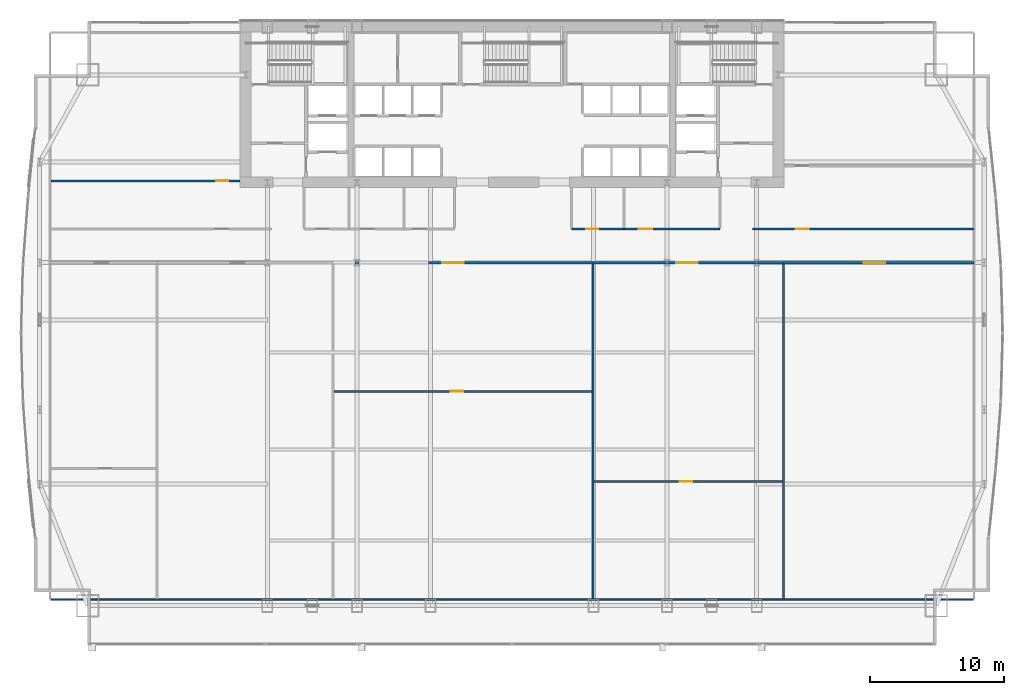
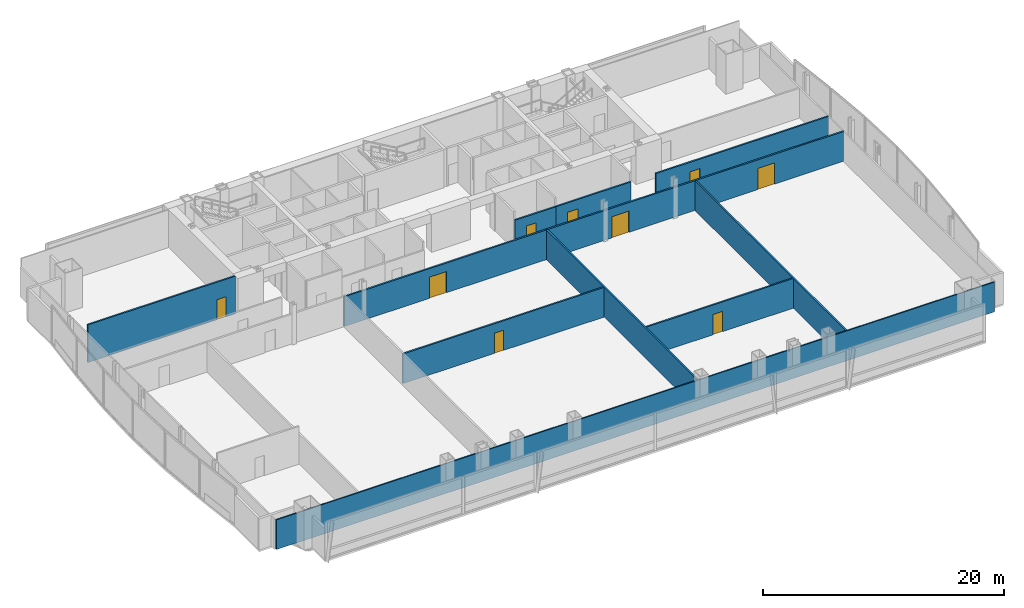
# One storey, part 29 of 33: 12 walls, 9 doors, 9 openings.
"""IFC4 building model written with IfcOpenShell, lengths in metres."""

from ifc_helpers import new_model, si_unit, direction, frame, frame_2d, origin, place, context, subcontext, project, spatial, rectangle, extrude, material, layer, layer_set, type_object, element, fill, save


model = new_model("IFC4")

# Units and contexts
model_context = context("Model", 3, precision=1e-05, world=origin(), true_north=direction((0.0, 1.0)))
body_context = subcontext(model_context, "Body", "Model", "MODEL_VIEW")
ifc_project = project(units=[si_unit("LENGTHUNIT", "METRE"), si_unit("AREAUNIT", "SQUARE_METRE"), si_unit("VOLUMEUNIT", "CUBIC_METRE"), si_unit("PLANEANGLEUNIT", "RADIAN"), si_unit("MASSUNIT", "GRAM", prefix="KILO")], contexts=[model_context])

# Site, building, storey
site_placement = place(None, origin())
site = spatial("IfcSite", under=ifc_project, at=site_placement, CompositionType="ELEMENT")
building_placement = place(site_placement, origin())
building = spatial("IfcBuilding", under=site, at=building_placement, Name="Khoronbel Lancet Exchange", CompositionType="ELEMENT")
storey_placement = place(building_placement, frame((0.0, 0.0, 33.800048828125)))
storey = spatial("IfcBuildingStorey", under=building, at=storey_placement, Name="L07", CompositionType="ELEMENT", Elevation=33.800048828125)

# Wall, opening, door
ifc_material_1 = material(Name="Acoustic Metal-Stud & Mineral-Wool Gypsum Partition 120 mm", Category="gypsum")
ifc_layer_1 = layer(ifc_material_1, 0.1201171875, Name="Acoustic Metal-Stud & Mineral-Wool Gypsum Partition 120 mm")
ifc_layer_set_1 = layer_set([ifc_layer_1], Name="Acoustic Metal-Stud & Mineral-Wool Gypsum Partition 120 mm")
wall_type_1 = type_object("IfcWallType", Name="WL-PRT120", PredefinedType="PARTITIONING", material=ifc_layer_set_1)
wall_1_placement = place(storey_placement, frame((2.094970703125, 41.800048828125, 0.0), z_axis=(0.0, 0.0, 1.0), x_axis=(1.0, 0.0, 0.0)))
wall_1 = element("IfcWall", 1, at=wall_1_placement, inside=storey, type_object=wall_type_1, Name="Level L07 interior partition PW-NW-H", PredefinedType="PARTITIONING", context=body_context, shape_type="SweptSolid", body=[
    extrude(rectangle(XDim=14.10498046875, YDim=0.14990234375, at=frame_2d((7.052490234375, 0.0))), origin(), (0.0, 0.0, 1.0), 3.820068359375),
])
opening_1_placement = place(wall_1_placement, frame((12.320068359375, 0.0, 0.0)))
opening_1 = element("IfcOpeningElement", 2, at=opening_1_placement, cuts=wall_1, Name="Opening D5", PredefinedType="OPENING", context=body_context, shape_type="SweptSolid", body=[
    extrude(rectangle(XDim=0.89990234375, YDim=2.050048828125, at=frame_2d((0.449951171875, 1.02490234375))), frame((0.0, 0.0849609375, 0.0), z_axis=(0.0, -1.0, 0.0), x_axis=(1.0, 0.0, 0.0)), (0.0, 0.0, 1.0), 0.169921875),
])
ifc_material_2 = material(Name="Acoustic Timber Pantry & Support Door", Category="wood")
door_type_1 = type_object("IfcDoorType", Name="DR-D5", OperationType="NOTDEFINED", PredefinedType="DOOR", material=ifc_material_2)
door_1_placement = place(opening_1_placement, origin())
door_1 = element("IfcDoor", 3, at=door_1_placement, inside=storey, type_object=door_type_1, Name="NW north room door L07-1", OperationType="SINGLE_SWING_RIGHT", OverallHeight=2.050048828125, OverallWidth=0.89990234375, PredefinedType="DOOR", context=body_context, shape_type="SweptSolid", body=[
    extrude(rectangle(XDim=0.89990234375, YDim=2.050048828125, at=frame_2d((0.449951171875, 1.02490234375))), frame((0.0, 0.02490234375, 0.0), z_axis=(0.0, -1.0, 0.0), x_axis=(1.0, 0.0, 0.0)), (0.0, 0.0, 1.0), 0.050048828125),
])
fill(opening_1, door_1)

wall_2_placement = place(storey_placement, frame((23.182861328125, 26.119140625, 0.0), z_axis=(0.0, 0.0, 1.0), x_axis=(1.0, 0.0, 0.0)))
wall_2 = element("IfcWall", 4, at=wall_2_placement, inside=storey, type_object=wall_type_1, Name="Level L07 interior partition PW-Z1S-H3", PredefinedType="PARTITIONING", context=body_context, shape_type="SweptSolid", body=[
    extrude(rectangle(XDim=19.223876953125, YDim=0.14990234375, at=frame_2d((9.61181640625, 0.0))), origin(), (0.0, 0.0, 1.0), 3.010009765625),
])
opening_2_placement = place(wall_2_placement, frame((8.72265625, 0.0, 0.0)))
opening_2 = element("IfcOpeningElement", 5, at=opening_2_placement, cuts=wall_2, Name="Opening D5", PredefinedType="OPENING", context=body_context, shape_type="SweptSolid", body=[
    extrude(rectangle(XDim=0.89990234375, YDim=2.050048828125, at=frame_2d((0.449951171875, 1.02490234375))), frame((0.0, 0.0849609375, 0.0), z_axis=(0.0, -1.0, 0.0), x_axis=(1.0, 0.0, 0.0)), (0.0, 0.0, 1.0), 0.169921875),
])
door_2_placement = place(opening_2_placement, origin())
door_2 = element("IfcDoor", 6, at=door_2_placement, inside=storey, type_object=door_type_1, Name="Z1S inner door 3 L07-1", OperationType="SINGLE_SWING_LEFT", OverallHeight=2.050048828125, OverallWidth=0.89990234375, PredefinedType="DOOR", context=body_context, shape_type="SweptSolid", body=[
    extrude(rectangle(XDim=0.89990234375, YDim=2.050048828125, at=frame_2d((0.449951171875, 1.02490234375))), frame((0.0, 0.02490234375, 0.0), z_axis=(0.0, -1.0, 0.0), x_axis=(1.0, 0.0, 0.0)), (0.0, 0.0, 1.0), 0.050048828125),
])
fill(opening_2, door_2)

wall_3_placement = place(storey_placement, frame((42.566650390625, 19.39453125, 0.0), z_axis=(0.0, 0.0, 1.0), x_axis=(1.0, 0.0, 0.0)))
wall_3 = element("IfcWall", 7, at=wall_3_placement, inside=storey, type_object=wall_type_1, Name="Level L07 interior partition PW-Z1S-H4", PredefinedType="PARTITIONING", context=body_context, shape_type="SweptSolid", body=[
    extrude(rectangle(XDim=14.045654296875, YDim=0.14990234375, at=frame_2d((7.02294921875, 0.0))), origin(), (0.0, 0.0, 1.0), 3.010009765625),
])
opening_3_placement = place(wall_3_placement, frame((6.392578125, 0.0, 0.0)))
opening_3 = element("IfcOpeningElement", 8, at=opening_3_placement, cuts=wall_3, Name="Opening D5", PredefinedType="OPENING", context=body_context, shape_type="SweptSolid", body=[
    extrude(rectangle(XDim=0.89990234375, YDim=2.050048828125, at=frame_2d((0.449951171875, 1.02490234375))), frame((0.0, 0.0849609375, 0.0), z_axis=(0.0, -1.0, 0.0), x_axis=(1.0, 0.0, 0.0)), (0.0, 0.0, 1.0), 0.169921875),
])
door_3_placement = place(opening_3_placement, origin())
door_3 = element("IfcDoor", 9, at=door_3_placement, inside=storey, type_object=door_type_1, Name="Z1S inner door 4 L07-1", OperationType="SINGLE_SWING_RIGHT", OverallHeight=2.050048828125, OverallWidth=0.89990234375, PredefinedType="DOOR", context=body_context, shape_type="SweptSolid", body=[
    extrude(rectangle(XDim=0.89990234375, YDim=2.050048828125, at=frame_2d((0.449951171875, 1.02490234375))), frame((0.0, 0.02490234375, 0.0), z_axis=(0.0, -1.0, 0.0), x_axis=(1.0, 0.0, 0.0)), (0.0, 0.0, 1.0), 0.050048828125),
])
fill(opening_3, door_3)

# Wall
wall_4_placement = place(storey_placement, frame((2.094970703125, 10.60009765625, 0.0), z_axis=(0.0, 0.0, 1.0), x_axis=(1.0, 0.0, 0.0)))
element("IfcWall", 10, at=wall_4_placement, inside=storey, type_object=wall_type_1, Name="Level L07 interior partition PW-LIN-S", PredefinedType="PARTITIONING", context=body_context, shape_type="SweptSolid", body=[
    extrude(rectangle(XDim=68.7099609375, YDim=0.1201171875, at=frame_2d((34.35498046875, 0.0))), origin(), (0.0, 0.0, 1.0), 3.010009765625),
])

# Wall, opening, door
ifc_material_3 = material(Name="Fire-Rated Twin-Stud Acoustic Gypsum Partition 150 mm", Category="gypsum")
ifc_layer_2 = layer(ifc_material_3, 0.14990234375, Name="Fire-Rated Twin-Stud Acoustic Gypsum Partition 150 mm")
ifc_layer_set_2 = layer_set([ifc_layer_2], Name="Fire-Rated Twin-Stud Acoustic Gypsum Partition 150 mm")
wall_type_2 = type_object("IfcWallType", Name="WL-PRT150C", PredefinedType="PARTITIONING", material=ifc_layer_set_2)
wall_5_placement = place(storey_placement, frame((40.8798828125, 38.199951171875, 0.0), z_axis=(0.0, 0.0, 1.0), x_axis=(1.0, 0.0, 0.0)))
wall_5 = element("IfcWall", 11, at=wall_5_placement, inside=storey, type_object=wall_type_2, Name="Level L07 interior partition PW-NP-S1", PredefinedType="PARTITIONING", context=body_context, shape_type="SweptSolid", body=[
    extrude(rectangle(XDim=3.920166015625, YDim=0.14990234375, at=frame_2d((1.9599609375, 0.0))), origin(), (0.0, 0.0, 1.0), 3.010009765625),
])
opening_4_placement = place(wall_5_placement, frame((1.10009765625, 0.0, 0.0)))
opening_4 = element("IfcOpeningElement", 12, at=opening_4_placement, cuts=wall_5, Name="Opening D5", PredefinedType="OPENING", context=body_context, shape_type="SweptSolid", body=[
    extrude(rectangle(XDim=0.89990234375, YDim=2.050048828125, at=frame_2d((0.449951171875, 1.02490234375))), frame((0.0, 0.0849609375, 0.0), z_axis=(0.0, -1.0, 0.0), x_axis=(1.0, 0.0, 0.0)), (0.0, 0.0, 1.0), 0.169921875),
])
door_4_placement = place(opening_4_placement, origin())
door_4 = element("IfcDoor", 13, at=door_4_placement, inside=storey, type_object=door_type_1, Name="Floor refreshment pantry door L07-1", OperationType="SINGLE_SWING_RIGHT", OverallHeight=2.050048828125, OverallWidth=0.89990234375, PredefinedType="DOOR", context=body_context, shape_type="SweptSolid", body=[
    extrude(rectangle(XDim=0.89990234375, YDim=2.050048828125, at=frame_2d((0.449951171875, 1.02490234375))), frame((0.0, 0.02490234375, 0.0), z_axis=(0.0, -1.0, 0.0), x_axis=(1.0, 0.0, 0.0)), (0.0, 0.0, 1.0), 0.050048828125),
])
fill(opening_4, door_4)

wall_6_placement = place(storey_placement, frame((44.800048828125, 38.199951171875, 0.0), z_axis=(0.0, 0.0, 1.0), x_axis=(1.0, 0.0, 0.0)))
wall_6 = element("IfcWall", 14, at=wall_6_placement, inside=storey, type_object=wall_type_2, Name="Level L07 interior partition PW-NP-S2", PredefinedType="PARTITIONING", context=body_context, shape_type="SweptSolid", body=[
    extrude(rectangle(XDim=7.14990234375, YDim=0.14990234375, at=frame_2d((3.574951171875, 0.0))), origin(), (0.0, 0.0, 1.0), 3.010009765625),
])
opening_5_placement = place(wall_6_placement, frame((1.10009765625, 0.0, 0.0)))
opening_5 = element("IfcOpeningElement", 15, at=opening_5_placement, cuts=wall_6, Name="Opening D2", PredefinedType="OPENING", context=body_context, shape_type="SweptSolid", body=[
    extrude(rectangle(XDim=1.0, YDim=2.050048828125, at=frame_2d((0.5, 1.02490234375))), frame((0.0, 0.0849609375, 0.0), z_axis=(0.0, -1.0, 0.0), x_axis=(1.0, 0.0, 0.0)), (0.0, 0.0, 1.0), 0.169921875),
])
ifc_material_4 = material(Name="Acoustic Veneered Timber & Bronze Frame Door", Category="wood")
door_type_2 = type_object("IfcDoorType", Name="DR-D2", OperationType="NOTDEFINED", PredefinedType="DOOR", material=ifc_material_4)
door_5_placement = place(opening_5_placement, origin())
door_5 = element("IfcDoor", 16, at=door_5_placement, inside=storey, type_object=door_type_2, Name="Floor store door L07-1", OperationType="SINGLE_SWING_LEFT", OverallHeight=2.050048828125, OverallWidth=1.0, PredefinedType="DOOR", context=body_context, shape_type="SweptSolid", body=[
    extrude(rectangle(XDim=1.0, YDim=2.050048828125, at=frame_2d((0.5, 1.02490234375))), frame((0.0, 0.02490234375, 0.0), z_axis=(0.0, -1.0, 0.0), x_axis=(1.0, 0.0, 0.0)), (0.0, 0.0, 1.0), 0.050048828125),
])
fill(opening_5, door_5)

wall_7_placement = place(storey_placement, frame((54.35009765625, 38.199951171875, 0.0), z_axis=(0.0, 0.0, 1.0), x_axis=(1.0, 0.0, 0.0)))
wall_7 = element("IfcWall", 17, at=wall_7_placement, inside=storey, type_object=wall_type_2, Name="Level L07 interior partition PW-NE-S", PredefinedType="PARTITIONING", context=body_context, shape_type="SweptSolid", body=[
    extrude(rectangle(XDim=16.52001953125, YDim=0.14990234375, at=frame_2d((8.260009765625, 0.0))), origin(), (0.0, 0.0, 1.0), 3.010009765625),
])
opening_6_placement = place(wall_7_placement, frame((3.25, 0.0, 0.0)))
opening_6 = element("IfcOpeningElement", 18, at=opening_6_placement, cuts=wall_7, Name="Opening D1", PredefinedType="OPENING", context=body_context, shape_type="SweptSolid", body=[
    extrude(rectangle(XDim=0.949951171875, YDim=2.050048828125, at=frame_2d((0.47509765625, 1.02490234375))), frame((0.0, 0.0849609375, 0.0), z_axis=(0.0, -1.0, 0.0), x_axis=(1.0, 0.0, 0.0)), (0.0, 0.0, 1.0), 0.169921875),
])
door_type_3 = type_object("IfcDoorType", Name="DR-D1", OperationType="NOTDEFINED", PredefinedType="DOOR", material=ifc_material_4)
door_6_placement = place(opening_6_placement, origin())
door_6 = element("IfcDoor", 19, at=door_6_placement, inside=storey, type_object=door_type_3, Name="NE corner room door L07-1", OperationType="SINGLE_SWING_LEFT", OverallHeight=2.050048828125, OverallWidth=0.949951171875, PredefinedType="DOOR", context=body_context, shape_type="SweptSolid", body=[
    extrude(rectangle(XDim=0.949951171875, YDim=2.050048828125, at=frame_2d((0.47509765625, 1.02490234375))), frame((0.0, 0.02490234375, 0.0), z_axis=(0.0, -1.0, 0.0), x_axis=(1.0, 0.0, 0.0)), (0.0, 0.0, 1.0), 0.050048828125),
])
fill(opening_6, door_6)

# Walls
for number, where, z_axis, x_axis, name in (
    (20, (42.48681640625, 10.6650390625, 0.0), (0.0, 0.0, 1.0), (0.0, 1.0, 0.0), "Level L07 interior partition PW-Z1S-V3"),
    (21, (56.692138671875, 10.6650390625, 0.0), (0.0, 0.0, 1.0), (0.0, 1.0, 0.0), "Level L07 interior partition PW-Z1S-V4"),
):
    element("IfcWall", number, at=place(storey_placement, frame(where, z_axis=z_axis, x_axis=x_axis)), inside=storey, type_object=wall_type_2, Name=name, PredefinedType="PARTITIONING", context=body_context, shape_type="SweptSolid", body=[
        extrude(rectangle(XDim=24.949951171875, YDim=0.14990234375, at=frame_2d((12.47509765625, 0.0))), origin(), (0.0, 0.0, 1.0), 3.010009765625),
    ])

# Wall, opening, door
ifc_material_5 = material(Name="Fire-Rated Twin-Stud Acoustic Gypsum Partition 160 mm", Category="gypsum")
ifc_layer_3 = layer(ifc_material_5, 0.159912109375, Name="Fire-Rated Twin-Stud Acoustic Gypsum Partition 160 mm")
ifc_layer_set_3 = layer_set([ifc_layer_3], Name="Fire-Rated Twin-Stud Acoustic Gypsum Partition 160 mm")
wall_type_3 = type_object("IfcWallType", Name="WL-PRT160C", PredefinedType="PARTITIONING", material=ifc_layer_set_3)
wall_8_placement = place(storey_placement, frame((23.102783203125, 35.699951171875, 0.0), z_axis=(0.0, 0.0, 1.0), x_axis=(1.0, 0.0, 0.0)))
wall_8 = element("IfcWall", 22, at=wall_8_placement, inside=storey, type_object=wall_type_3, Name="Level L07 interior partition PW-Z1S-COR3", PredefinedType="PARTITIONING", context=body_context, shape_type="SweptSolid", body=[
    extrude(rectangle(XDim=19.384033203125, YDim=0.159912109375, at=frame_2d((9.69189453125, 0.0))), origin(), (0.0, 0.0, 1.0), 3.010009765625),
])
opening_7_placement = place(wall_8_placement, frame((8.14111328125, 0.0, 0.0)))
opening_7 = element("IfcOpeningElement", 23, at=opening_7_placement, cuts=wall_8, Name="Opening D3", PredefinedType="OPENING", context=body_context, shape_type="SweptSolid", body=[
    extrude(rectangle(XDim=1.60009765625, YDim=2.14990234375, at=frame_2d((0.800048828125, 1.074951171875))), frame((0.0, 0.08984375, 0.0), z_axis=(0.0, -1.0, 0.0), x_axis=(1.0, 0.0, 0.0)), (0.0, 0.0, 1.0), 0.179931640625),
])
ifc_material_6 = material(Name="Glazed Bronze-Framed Double Suite Door", Category="aluminium")
door_type_4 = type_object("IfcDoorType", Name="DR-D3", OperationType="NOTDEFINED", PredefinedType="DOOR", material=ifc_material_6)
door_7_placement = place(opening_7_placement, origin())
door_7 = element("IfcDoor", 24, at=door_7_placement, inside=storey, type_object=door_type_4, Name="Z1S bay 3 door L07-1", OperationType="DOUBLE_DOOR_SINGLE_SWING", OverallHeight=2.14990234375, OverallWidth=1.60009765625, PredefinedType="DOOR", context=body_context, shape_type="SweptSolid", body=[
    extrude(rectangle(XDim=1.60009765625, YDim=2.14990234375, at=frame_2d((0.800048828125, 1.074951171875))), frame((0.0, 0.02490234375, 0.0), z_axis=(0.0, -1.0, 0.0), x_axis=(1.0, 0.0, 0.0)), (0.0, 0.0, 1.0), 0.050048828125),
])
fill(opening_7, door_7)

wall_9_placement = place(storey_placement, frame((42.48681640625, 35.699951171875, 0.0), z_axis=(0.0, 0.0, 1.0), x_axis=(1.0, 0.0, 0.0)))
wall_9 = element("IfcWall", 25, at=wall_9_placement, inside=storey, type_object=wall_type_3, Name="Level L07 interior partition PW-Z1S-COR4", PredefinedType="PARTITIONING", context=body_context, shape_type="SweptSolid", body=[
    extrude(rectangle(XDim=14.205322265625, YDim=0.159912109375, at=frame_2d((7.1025390625, 0.0))), origin(), (0.0, 0.0, 1.0), 3.010009765625),
])
opening_8_placement = place(wall_9_placement, frame((6.21630859375, 0.0, 0.0)))
opening_8 = element("IfcOpeningElement", 26, at=opening_8_placement, cuts=wall_9, Name="Opening D3", PredefinedType="OPENING", context=body_context, shape_type="SweptSolid", body=[
    extrude(rectangle(XDim=1.60009765625, YDim=2.14990234375, at=frame_2d((0.800048828125, 1.074951171875))), frame((0.0, 0.08984375, 0.0), z_axis=(0.0, -1.0, 0.0), x_axis=(1.0, 0.0, 0.0)), (0.0, 0.0, 1.0), 0.179931640625),
])
door_8_placement = place(opening_8_placement, origin())
door_8 = element("IfcDoor", 27, at=door_8_placement, inside=storey, type_object=door_type_4, Name="Z1S bay 4 door L07-1", OperationType="DOUBLE_DOOR_SINGLE_SWING", OverallHeight=2.14990234375, OverallWidth=1.60009765625, PredefinedType="DOOR", context=body_context, shape_type="SweptSolid", body=[
    extrude(rectangle(XDim=1.60009765625, YDim=2.14990234375, at=frame_2d((0.800048828125, 1.074951171875))), frame((0.0, 0.02490234375, 0.0), z_axis=(0.0, -1.0, 0.0), x_axis=(1.0, 0.0, 0.0)), (0.0, 0.0, 1.0), 0.050048828125),
])
fill(opening_8, door_8)

wall_10_placement = place(storey_placement, frame((56.692138671875, 35.699951171875, 0.0), z_axis=(0.0, 0.0, 1.0), x_axis=(1.0, 0.0, 0.0)))
wall_10 = element("IfcWall", 28, at=wall_10_placement, inside=storey, type_object=wall_type_3, Name="Level L07 interior partition PW-Z1S-COR5", PredefinedType="PARTITIONING", context=body_context, shape_type="SweptSolid", body=[
    extrude(rectangle(XDim=14.177978515625, YDim=0.159912109375, at=frame_2d((7.0888671875, 0.0))), origin(), (0.0, 0.0, 1.0), 3.010009765625),
])
opening_9_placement = place(wall_10_placement, frame((5.95458984375, 0.0, 0.0)))
opening_9 = element("IfcOpeningElement", 29, at=opening_9_placement, cuts=wall_10, Name="Opening D3", PredefinedType="OPENING", context=body_context, shape_type="SweptSolid", body=[
    extrude(rectangle(XDim=1.60009765625, YDim=2.14990234375, at=frame_2d((0.800048828125, 1.074951171875))), frame((0.0, 0.08984375, 0.0), z_axis=(0.0, -1.0, 0.0), x_axis=(1.0, 0.0, 0.0)), (0.0, 0.0, 1.0), 0.179931640625),
])
door_9_placement = place(opening_9_placement, origin())
door_9 = element("IfcDoor", 30, at=door_9_placement, inside=storey, type_object=door_type_4, Name="Z1S bay 5 door L07-1", OperationType="DOUBLE_DOOR_SINGLE_SWING", OverallHeight=2.14990234375, OverallWidth=1.60009765625, PredefinedType="DOOR", context=body_context, shape_type="SweptSolid", body=[
    extrude(rectangle(XDim=1.60009765625, YDim=2.14990234375, at=frame_2d((0.800048828125, 1.074951171875))), frame((0.0, 0.02490234375, 0.0), z_axis=(0.0, -1.0, 0.0), x_axis=(1.0, 0.0, 0.0)), (0.0, 0.0, 1.0), 0.050048828125),
])
fill(opening_9, door_9)

save(model, "model.ifc")
